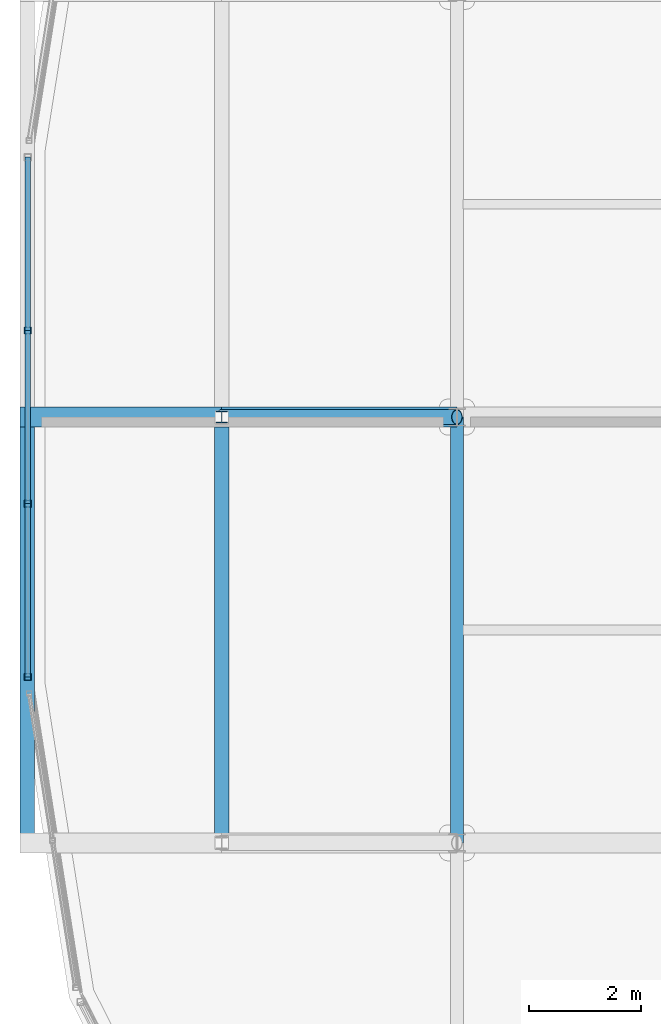
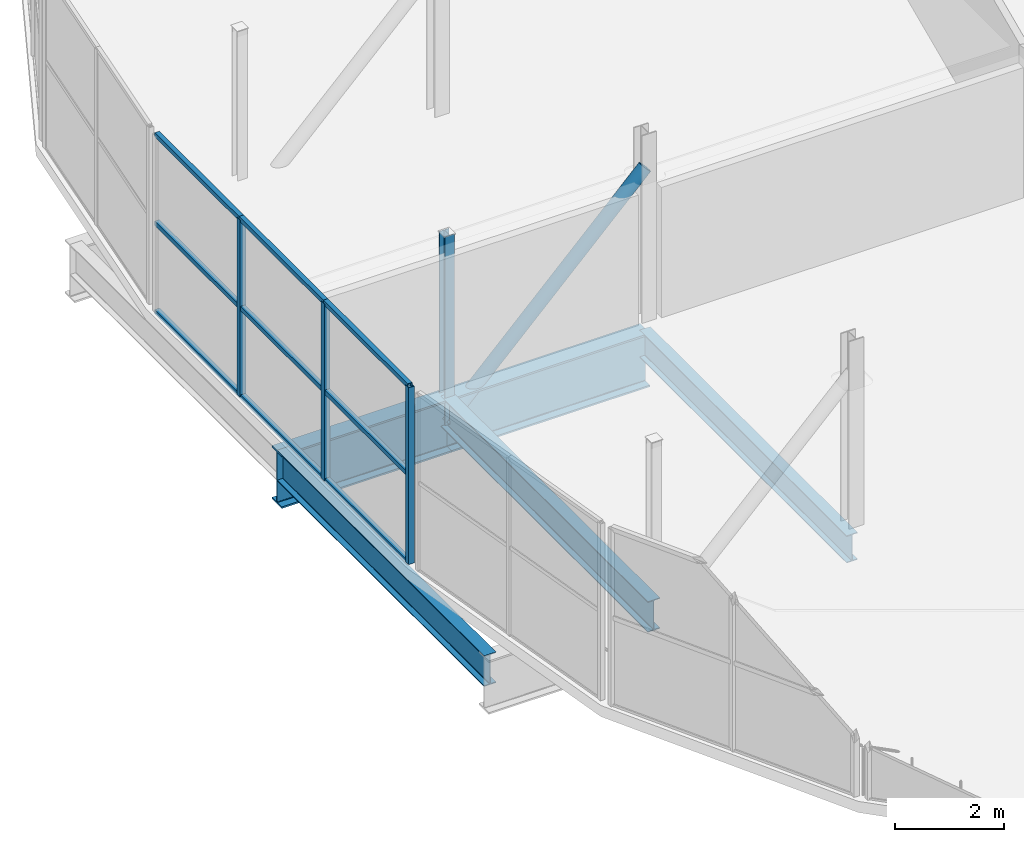
# One storey, part 23 of 151: 14 members, 5 beams, 1 element without a shape of its own.
"""IFC4 building model written with IfcOpenShell, lengths in metres."""

from ifc_helpers import new_model, si_unit, direction, frame, origin, origin_2d, place, context, subcontext, project, spatial, hollow_rectangle, hollow_circle, i_section, extrude, material, material_profile, profile_set, type_object, element, aggregate, save


model = new_model("IFC4")

# Units and contexts
model_context = context("Model", 3, precision=1e-05, world=origin(), true_north=direction((0.0, 1.0)))
body_context = subcontext(model_context, "Body", "Model", "MODEL_VIEW")
ifc_project = project(units=[si_unit("LENGTHUNIT", "METRE"), si_unit("AREAUNIT", "SQUARE_METRE"), si_unit("VOLUMEUNIT", "CUBIC_METRE"), si_unit("PLANEANGLEUNIT", "RADIAN"), si_unit("MASSUNIT", "GRAM", prefix="KILO")], contexts=[model_context])

# Site, building, storey
site_placement = place(None, origin())
site = spatial("IfcSite", under=ifc_project, at=site_placement, CompositionType="ELEMENT")
building_placement = place(site_placement, origin())
building = spatial("IfcBuilding", under=site, at=building_placement, Name="Zuvorla Pavilion Media Centre", CompositionType="ELEMENT")
storey_placement = place(building_placement, frame((0.0, 0.0, 13.800048828125)))
storey = spatial("IfcBuildingStorey", under=building, at=storey_placement, Name="L03", CompositionType="ELEMENT", Elevation=13.800048828125)

# Beams
ifc_material_1 = material(Name="Steel S355", Category="steel")
ifc_material_profile_1 = material_profile(ifc_material_1, i_section(OverallWidth=0.360107421875, OverallDepth=1.199951171875, WebThickness=0.02001953125, FlangeThickness=0.0380859375, FilletRadius=0.02392578125, at=origin_2d()), Name="PG 1200x360x38")
ifc_profile_set_1 = profile_set([ifc_material_profile_1], Name="Steel S355")
beam_type_1 = type_object("IfcBeamType", Name="BM-PG1200", PredefinedType="BEAM", material=ifc_profile_set_1)
beam_1_placement = place(storey_placement, frame((16.39990234375, 66.800048828125, -0.858154296875), z_axis=(-1.0, 0.0, 0.0), x_axis=(0.0, -1.0, 0.0)))
element("IfcBeam", 1, at=beam_1_placement, inside=storey, type_object=beam_type_1, Name="L03 beam B01 1702", PredefinedType="BEAM", context=body_context, shape_type="SweptSolid", body=[
    extrude(i_section(OverallWidth=0.360107421875, OverallDepth=1.199951171875, WebThickness=0.02001953125, FlangeThickness=0.0380859375, FilletRadius=0.02392578125, at=origin_2d()), origin(), (0.0, 0.0, 1.0), 4.199951171875),
])
beam_2_placement = place(storey_placement, frame((12.199951171875, 66.800048828125, -0.858154296875), z_axis=(-1.0, 0.0, 0.0), x_axis=(0.0, -1.0, 0.0)))
element("IfcBeam", 2, at=beam_2_placement, inside=storey, type_object=beam_type_1, Name="L03 beam B01 1703", PredefinedType="BEAM", context=body_context, shape_type="SweptSolid", body=[
    extrude(i_section(OverallWidth=0.360107421875, OverallDepth=1.199951171875, WebThickness=0.02001953125, FlangeThickness=0.0380859375, FilletRadius=0.02392578125, at=origin_2d()), origin(), (0.0, 0.0, 1.0), 3.599853515625),
])
ifc_material_profile_2 = material_profile(ifc_material_1, i_section(OverallWidth=0.22900390625, OverallDepth=0.6123046875, WebThickness=0.011962890625, FlangeThickness=0.01953125, FilletRadius=0.0126953125, at=origin_2d()), Name="UB 610x229x125")
ifc_profile_set_2 = profile_set([ifc_material_profile_2], Name="Steel S355")
beam_type_2 = type_object("IfcBeamType", Name="BM-UB610", PredefinedType="BEAM", material=ifc_profile_set_2)
beam_3_placement = place(storey_placement, frame((16.39990234375, 59.199951171875, -0.564208984375), z_axis=(0.0, 1.0, 0.0), x_axis=(-1.0, 0.0, 0.0)))
element("IfcBeam", 3, at=beam_3_placement, inside=storey, type_object=beam_type_2, Name="L03 beam B07 1148", PredefinedType="BEAM", context=body_context, shape_type="SweptSolid", body=[
    extrude(i_section(OverallWidth=0.22900390625, OverallDepth=0.6123046875, WebThickness=0.011962890625, FlangeThickness=0.01953125, FilletRadius=0.0126953125, at=origin_2d()), origin(), (0.0, 0.0, 1.0), 7.60009765625),
])
ifc_material_profile_3 = material_profile(ifc_material_1, i_section(OverallWidth=0.25439453125, OverallDepth=0.6875, WebThickness=0.01318359375, FlangeThickness=0.02099609375, FilletRadius=0.01513671875, at=origin_2d()), Name="UB 686x254x152")
ifc_profile_set_3 = profile_set([ifc_material_profile_3], Name="Steel S355")
beam_type_3 = type_object("IfcBeamType", Name="BM-UB686", PredefinedType="BEAM", material=ifc_profile_set_3)
for number, where, z_axis, x_axis, name in (
    (4, (12.199951171875, 59.199951171875, -0.601806640625), (0.0, 1.0, 0.0), (-1.0, 0.0, 0.0), "L03 beam B06 1713"),
    (5, (8.72998046875, 59.199951171875, -0.601806640625), (0.0, 1.0, 0.0), (-1.0, 0.0, 0.0), "L03 beam B06 1715"),
):
    element("IfcBeam", number, at=place(storey_placement, frame(where, z_axis=z_axis, x_axis=x_axis)), inside=storey, type_object=beam_type_3, Name=name, PredefinedType="BEAM", context=body_context, shape_type="SweptSolid", body=[
        extrude(i_section(OverallWidth=0.25439453125, OverallDepth=0.6875, WebThickness=0.01318359375, FlangeThickness=0.02099609375, FilletRadius=0.01513671875, at=origin_2d()), origin(), (0.0, 0.0, 1.0), 7.60009765625),
    ])

# Curtain wall, members
ifc_material_2 = material(Name="Unitised anodised aluminium and solar glass curtain wall", Category="aluminium")
curtain_wall_type = type_object("IfcCurtainWallType", Name="CW-SYS-59", PredefinedType="USERDEFINED", material=ifc_material_2)
curtain_wall_placement = place(storey_placement, origin())
curtain_wall = element("IfcCurtainWall", 6, at=curtain_wall_placement, inside=storey, type_object=curtain_wall_type, Name="L03 curtain wall CW59 126", ObjectType="CURTAIN WALL", PredefinedType="USERDEFINED")
ifc_material_3 = material(Name="Anodised aluminium 6063-T6", Category="aluminium")
ifc_material_profile_4 = material_profile(ifc_material_3, hollow_rectangle(XDim=0.1201171875, YDim=0.1201171875, WallThickness=0.0048828125, at=origin_2d()), Name="ALU MULL 120x120")
ifc_profile_set_4 = profile_set([ifc_material_profile_4], Name="Anodised aluminium 6063-T6")
member_type_1 = type_object("IfcMemberType", Name="CW-MULL-120", PredefinedType="MULLION", material=ifc_profile_set_4)
member_1_placement = place(storey_placement, frame((8.739990234375, 68.3466796875, 0.0), z_axis=(0.0, 0.0, 1.0), x_axis=(1.0, 0.0, 0.0)))
member_1 = element("IfcMember", 7, at=member_1_placement, type_object=member_type_1, Name="CW59 mullion 2", PredefinedType="MULLION", context=body_context, shape_type="SweptSolid", body=[
    extrude(hollow_rectangle(XDim=0.1201171875, YDim=0.1201171875, WallThickness=0.0048828125, at=origin_2d()), origin(), (0.0, 0.0, 1.0), 3.9599609375),
])
member_2_placement = place(storey_placement, frame((8.739990234375, 65.25341796875, 0.0), z_axis=(0.0, 0.0, 1.0), x_axis=(1.0, 0.0, 0.0)))
member_2 = element("IfcMember", 8, at=member_2_placement, type_object=member_type_1, Name="CW59 mullion 3", PredefinedType="MULLION", context=body_context, shape_type="SweptSolid", body=[
    extrude(hollow_rectangle(XDim=0.1201171875, YDim=0.1201171875, WallThickness=0.0048828125, at=origin_2d()), origin(), (0.0, 0.0, 1.0), 3.9599609375),
])
member_3_placement = place(storey_placement, frame((8.739990234375, 62.159912109375, 0.0), z_axis=(0.0, 0.0, 1.0), x_axis=(1.0, 0.0, 0.0)))
member_3 = element("IfcMember", 9, at=member_3_placement, type_object=member_type_1, Name="CW59 mullion 4", PredefinedType="MULLION", context=body_context, shape_type="SweptSolid", body=[
    extrude(hollow_rectangle(XDim=0.1201171875, YDim=0.1201171875, WallThickness=0.0048828125, at=origin_2d()), origin(), (0.0, 0.0, 1.0), 3.9599609375),
])
ifc_material_profile_5 = material_profile(ifc_material_3, hollow_rectangle(XDim=0.10009765625, YDim=0.10009765625, WallThickness=0.00439453125, at=origin_2d()), Name="ALU TRAN 100x100")
ifc_profile_set_5 = profile_set([ifc_material_profile_5], Name="Anodised aluminium 6063-T6")
member_type_2 = type_object("IfcMemberType", Name="CW-TRAN-100", PredefinedType="USERDEFINED", material=ifc_profile_set_5)
member_4_placement = place(storey_placement, frame((8.739990234375, 71.43994140625, 0.0), z_axis=(0.0, -1.0, 0.0), x_axis=(1.0, 0.0, 0.0)))
member_4 = element("IfcMember", 10, at=member_4_placement, type_object=member_type_2, Name="CW59 transom 1.1", ObjectType="TRANSOM", PredefinedType="USERDEFINED", context=body_context, shape_type="SweptSolid", body=[
    extrude(hollow_rectangle(XDim=0.10009765625, YDim=0.10009765625, WallThickness=0.00439453125, at=origin_2d()), origin(), (0.0, 0.0, 1.0), 3.09326171875),
])
member_5_placement = place(storey_placement, frame((8.739990234375, 71.43994140625, 1.97998046875), z_axis=(0.0, -1.0, 0.0), x_axis=(1.0, 0.0, 0.0)))
member_5 = element("IfcMember", 11, at=member_5_placement, type_object=member_type_2, Name="CW59 transom 1.2", ObjectType="TRANSOM", PredefinedType="USERDEFINED", context=body_context, shape_type="SweptSolid", body=[
    extrude(hollow_rectangle(XDim=0.10009765625, YDim=0.10009765625, WallThickness=0.00439453125, at=origin_2d()), origin(), (0.0, 0.0, 1.0), 3.09326171875),
])
member_6_placement = place(storey_placement, frame((8.739990234375, 71.43994140625, 3.9599609375), z_axis=(0.0, -1.0, 0.0), x_axis=(1.0, 0.0, 0.0)))
member_6 = element("IfcMember", 12, at=member_6_placement, type_object=member_type_2, Name="CW59 transom 1.3", ObjectType="TRANSOM", PredefinedType="USERDEFINED", context=body_context, shape_type="SweptSolid", body=[
    extrude(hollow_rectangle(XDim=0.10009765625, YDim=0.10009765625, WallThickness=0.00439453125, at=origin_2d()), origin(), (0.0, 0.0, 1.0), 3.09326171875),
])
member_7_placement = place(storey_placement, frame((8.739990234375, 68.3466796875, 0.0), z_axis=(0.0, -1.0, 0.0), x_axis=(1.0, 0.0, 0.0)))
member_7 = element("IfcMember", 13, at=member_7_placement, type_object=member_type_2, Name="CW59 transom 2.1", ObjectType="TRANSOM", PredefinedType="USERDEFINED", context=body_context, shape_type="SweptSolid", body=[
    extrude(hollow_rectangle(XDim=0.10009765625, YDim=0.10009765625, WallThickness=0.00439453125, at=origin_2d()), origin(), (0.0, 0.0, 1.0), 3.09326171875),
])
member_8_placement = place(storey_placement, frame((8.739990234375, 68.3466796875, 1.97998046875), z_axis=(0.0, -1.0, 0.0), x_axis=(1.0, 0.0, 0.0)))
member_8 = element("IfcMember", 14, at=member_8_placement, type_object=member_type_2, Name="CW59 transom 2.2", ObjectType="TRANSOM", PredefinedType="USERDEFINED", context=body_context, shape_type="SweptSolid", body=[
    extrude(hollow_rectangle(XDim=0.10009765625, YDim=0.10009765625, WallThickness=0.00439453125, at=origin_2d()), origin(), (0.0, 0.0, 1.0), 3.09326171875),
])
member_9_placement = place(storey_placement, frame((8.739990234375, 68.3466796875, 3.9599609375), z_axis=(0.0, -1.0, 0.0), x_axis=(1.0, 0.0, 0.0)))
member_9 = element("IfcMember", 15, at=member_9_placement, type_object=member_type_2, Name="CW59 transom 2.3", ObjectType="TRANSOM", PredefinedType="USERDEFINED", context=body_context, shape_type="SweptSolid", body=[
    extrude(hollow_rectangle(XDim=0.10009765625, YDim=0.10009765625, WallThickness=0.00439453125, at=origin_2d()), origin(), (0.0, 0.0, 1.0), 3.09326171875),
])
member_10_placement = place(storey_placement, frame((8.739990234375, 65.25341796875, 0.0), z_axis=(0.0, -1.0, 0.0), x_axis=(1.0, 0.0, 0.0)))
member_10 = element("IfcMember", 16, at=member_10_placement, type_object=member_type_2, Name="CW59 transom 3.1", ObjectType="TRANSOM", PredefinedType="USERDEFINED", context=body_context, shape_type="SweptSolid", body=[
    extrude(hollow_rectangle(XDim=0.10009765625, YDim=0.10009765625, WallThickness=0.00439453125, at=origin_2d()), origin(), (0.0, 0.0, 1.0), 3.093505859375),
])
member_11_placement = place(storey_placement, frame((8.739990234375, 65.25341796875, 1.97998046875), z_axis=(0.0, -1.0, 0.0), x_axis=(1.0, 0.0, 0.0)))
member_11 = element("IfcMember", 17, at=member_11_placement, type_object=member_type_2, Name="CW59 transom 3.2", ObjectType="TRANSOM", PredefinedType="USERDEFINED", context=body_context, shape_type="SweptSolid", body=[
    extrude(hollow_rectangle(XDim=0.10009765625, YDim=0.10009765625, WallThickness=0.00439453125, at=origin_2d()), origin(), (0.0, 0.0, 1.0), 3.093505859375),
])
member_12_placement = place(storey_placement, frame((8.739990234375, 65.25341796875, 3.9599609375), z_axis=(0.0, -1.0, 0.0), x_axis=(1.0, 0.0, 0.0)))
member_12 = element("IfcMember", 18, at=member_12_placement, type_object=member_type_2, Name="CW59 transom 3.3", ObjectType="TRANSOM", PredefinedType="USERDEFINED", context=body_context, shape_type="SweptSolid", body=[
    extrude(hollow_rectangle(XDim=0.10009765625, YDim=0.10009765625, WallThickness=0.00439453125, at=origin_2d()), origin(), (0.0, 0.0, 1.0), 3.093505859375),
])
aggregate(curtain_wall, [member_1, member_2, member_3, member_4, member_5, member_6, member_7, member_8, member_9, member_10, member_11, member_12])

# Members
ifc_material_profile_6 = material_profile(ifc_material_1, hollow_circle(Radius=0.136474609375, WallThickness=0.012451171875, at=origin_2d()), Name="CHS 273x12.5")
ifc_profile_set_6 = profile_set([ifc_material_profile_6], Name="Steel S355")
member_type_3 = type_object("IfcMemberType", Name="MEM-BRC-CHS273", PredefinedType="BRACE", material=ifc_profile_set_6)
member_13_placement = place(storey_placement, frame((16.39990234375, 66.800048828125, 3.35986328125), z_axis=(-0.704583438737, 0.0, -0.709621150937), x_axis=(0.0, -1.0, 0.0)))
element("IfcMember", 19, at=member_13_placement, inside=storey, type_object=member_type_3, Name="L03 diagonal brace TB01 17", PredefinedType="BRACE", context=body_context, shape_type="SweptSolid", body=[
    extrude(hollow_circle(Radius=0.136474609375, WallThickness=0.012451171875, at=origin_2d()), origin(), (0.0, 0.0, 1.0), 5.9609375),
])
ifc_material_profile_7 = material_profile(ifc_material_1, i_section(OverallWidth=0.205810546875, OverallDepth=0.209716796875, WebThickness=0.009521484375, FlangeThickness=0.01416015625, FilletRadius=0.01025390625, at=origin_2d()), Name="UC 203x203x60")
ifc_profile_set_7 = profile_set([ifc_material_profile_7], Name="Steel S355")
member_type_4 = type_object("IfcMemberType", Name="MEM-STR-UC203", PredefinedType="STRUT", material=ifc_profile_set_7)
member_14_placement = place(storey_placement, frame((12.199951171875, 66.800048828125, -0.8701171875), z_axis=(0.0, 0.0, 1.0), x_axis=(1.0, 0.0, 0.0)))
element("IfcMember", 20, at=member_14_placement, inside=storey, type_object=member_type_4, Name="L03 vertical strut TS02 18", PredefinedType="STRUT", context=body_context, shape_type="SweptSolid", body=[
    extrude(i_section(OverallWidth=0.205810546875, OverallDepth=0.209716796875, WebThickness=0.009521484375, FlangeThickness=0.01416015625, FilletRadius=0.01025390625, at=origin_2d()), origin(), (0.0, 0.0, 1.0), 4.22998046875),
])

save(model, "model.ifc")
